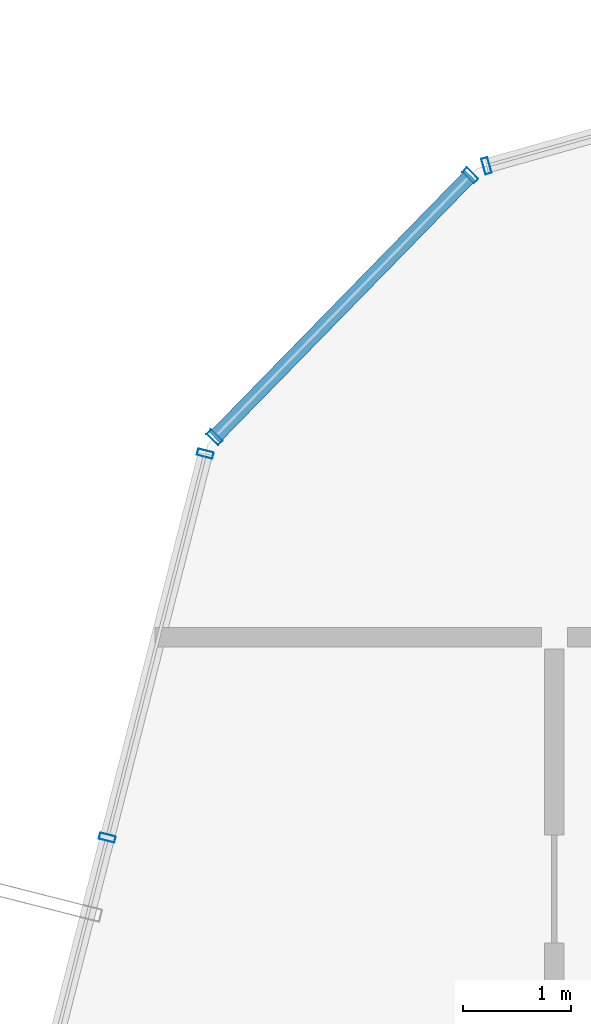
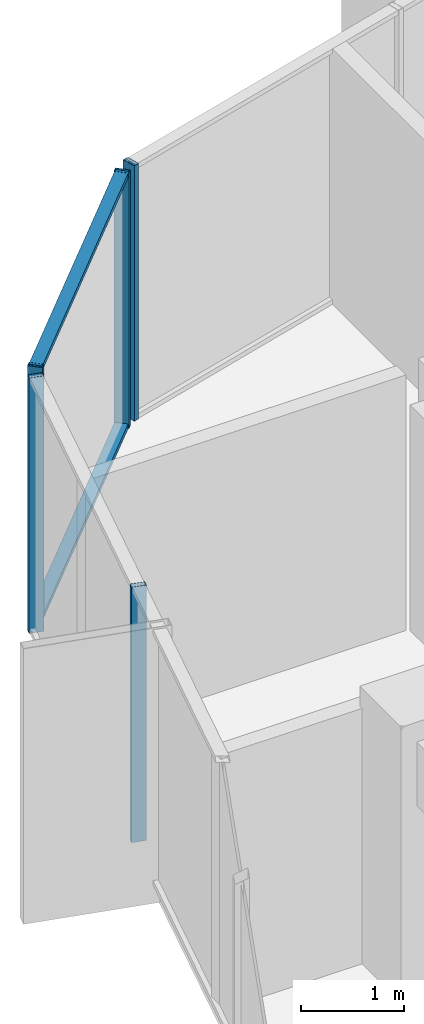
# One storey, part 14 of 29: 7 members, 3 elements without a shape of their own.
"""IFC4 building model written with IfcOpenShell, lengths in metres."""

from ifc_helpers import new_model, si_unit, direction, frame, origin, origin_2d, place, context, subcontext, project, spatial, hollow_rectangle, extrude, source, transform, mapped, material, layer, layer_set, material_profile, profile_set, type_object, element, aggregate, save


model = new_model("IFC4")

# Units and contexts
model_context = context("Model", 3, precision=1e-05, world=origin(), true_north=direction((0.0, 1.0)))
body_context = subcontext(model_context, "Body", "Model", "MODEL_VIEW")
ifc_project = project(units=[si_unit("LENGTHUNIT", "METRE"), si_unit("AREAUNIT", "SQUARE_METRE"), si_unit("VOLUMEUNIT", "CUBIC_METRE"), si_unit("PLANEANGLEUNIT", "RADIAN"), si_unit("MASSUNIT", "GRAM", prefix="KILO")], contexts=[model_context])

# Site, building, storey
site_placement = place(None, origin())
site = spatial("IfcSite", under=ifc_project, at=site_placement, CompositionType="ELEMENT")
building_placement = place(site_placement, origin())
building = spatial("IfcBuilding", under=site, at=building_placement, Name="Veraguas Prism Commons", CompositionType="ELEMENT")
storey_placement = place(building_placement, frame((0.0, 0.0, 257.75)))
storey = spatial("IfcBuildingStorey", under=building, at=storey_placement, Name="L73", CompositionType="ELEMENT", Elevation=257.75)

# Curtain wall, member
ifc_material = material(Name="Anodised aluminium EN AW-6063 T6", Category="aluminium")
ifc_layer = layer(ifc_material, 0.14990234375, Name="Unitised Flush Curtain Wall Zone 4", Category="aluminium")
ifc_layer_set = layer_set([ifc_layer], Name="Anodised aluminium EN AW-6063 T6")
curtain_wall_type = type_object("IfcCurtainWallType", Name="Unitised Flush Curtain Wall Zone 4", PredefinedType="NOTDEFINED", material=ifc_layer_set)
curtain_wall_1_placement = place(storey_placement, origin())
curtain_wall_1 = element("IfcCurtainWall", 1, at=curtain_wall_1_placement, inside=storey, type_object=curtain_wall_type, Name="Tower Facade Curtain Wall L73-F2", PredefinedType="NOTDEFINED")
ifc_material_profile_1 = material_profile(ifc_material, hollow_rectangle(XDim=0.06005859375, YDim=0.14990234375, WallThickness=0.0029296875, at=origin_2d()), Name="AL60X150X3")
ifc_profile_set_1 = profile_set([ifc_material_profile_1], Name="Anodised aluminium EN AW-6063 T6")
member_type_1 = type_object("IfcMemberType", Name="Curtain Wall Mullion Upper AL 60x150x3", PredefinedType="MULLION", material=ifc_profile_set_1)
shared_shape_1 = source(origin(), body_context, "Body", "SweptSolid", [
    extrude(hollow_rectangle(XDim=0.06005859375, YDim=0.14990234375, WallThickness=0.0029296875, at=origin_2d()), origin(), (0.0, 0.0, 1.0), 3.014892578125),
])
member_1_placement = place(storey_placement, frame((12.473388671875, 37.854736328125, 0.0), z_axis=(0.0, 0.0, 1.0), x_axis=(-0.962784730035, -0.270269427816, 0.0)))
member_1 = element("IfcMember", 2, at=member_1_placement, type_object=member_type_1, Name="CW-Z4 Mullion 5", PredefinedType="MULLION", context=body_context, shape_type="MappedRepresentation", body=[
    mapped(shared_shape_1, transform((0.0, 0.0, 0.0), scale=1.0)),
])
aggregate(curtain_wall_1, [member_1])

# Curtain wall, members
curtain_wall_2_placement = place(storey_placement, origin())
curtain_wall_2 = element("IfcCurtainWall", 3, at=curtain_wall_2_placement, inside=storey, type_object=curtain_wall_type, Name="Tower Facade Curtain Wall L73-F3", PredefinedType="NOTDEFINED")
member_2_placement = place(storey_placement, frame((9.87548828125, 35.194580078125, 0.0), z_axis=(0.0, 0.0, 1.0), x_axis=(-0.247338939069, -0.968929021766, 0.0)))
member_2 = element("IfcMember", 4, at=member_2_placement, type_object=member_type_1, Name="CW-Z4 Mullion 1", PredefinedType="MULLION", context=body_context, shape_type="MappedRepresentation", body=[
    mapped(shared_shape_1, transform((0.0, 0.0, 0.0), scale=1.0)),
])
member_3_placement = place(storey_placement, frame((8.9697265625, 31.646728515625, 0.0), z_axis=(0.0, 0.0, 1.0), x_axis=(-0.247338939069, -0.968929021766, 0.0)))
member_3 = element("IfcMember", 5, at=member_3_placement, type_object=member_type_1, Name="CW-Z4 Mullion 2", PredefinedType="MULLION", context=body_context, shape_type="MappedRepresentation", body=[
    mapped(shared_shape_1, transform((0.0, 0.0, 0.0), scale=1.0)),
])
aggregate(curtain_wall_2, [member_2, member_3])

curtain_wall_3_placement = place(storey_placement, origin())
curtain_wall_3 = element("IfcCurtainWall", 6, at=curtain_wall_3_placement, inside=storey, type_object=curtain_wall_type, Name="Chamfer Curtain Wall L73-C3", PredefinedType="NOTDEFINED")
member_4_placement = place(storey_placement, frame((12.32373046875, 37.76611328125, 0.0), z_axis=(0.0, 0.0, 1.0), x_axis=(-0.698662569377, -0.715451335977, 0.0)))
member_4 = element("IfcMember", 7, at=member_4_placement, type_object=member_type_1, Name="CW-Z4 Mullion 1", PredefinedType="MULLION", context=body_context, shape_type="MappedRepresentation", body=[
    mapped(shared_shape_1, transform((0.0, 0.0, 0.0), scale=1.0)),
])
member_5_placement = place(storey_placement, frame((9.96044921875, 35.345947265625, 0.0), z_axis=(0.0, 0.0, 1.0), x_axis=(-0.698662569377, -0.715451335977, 0.0)))
member_5 = element("IfcMember", 8, at=member_5_placement, type_object=member_type_1, Name="CW-Z4 Mullion 2", PredefinedType="MULLION", context=body_context, shape_type="MappedRepresentation", body=[
    mapped(shared_shape_1, transform((0.0, 0.0, 0.0), scale=1.0)),
])
ifc_material_profile_2 = material_profile(ifc_material, hollow_rectangle(XDim=0.054931640625, YDim=0.135009765625, WallThickness=0.0029296875, at=origin_2d()), Name="AL55X135X3")
ifc_profile_set_2 = profile_set([ifc_material_profile_2], Name="Anodised aluminium EN AW-6063 T6")
member_type_2 = type_object("IfcMemberType", Name="Curtain Wall Transom Standard AL 55x135x3", PredefinedType="USERDEFINED", material=ifc_profile_set_2)
shared_shape_2 = source(origin(), body_context, "Body", "SweptSolid", [
    extrude(hollow_rectangle(XDim=0.054931640625, YDim=0.135009765625, WallThickness=0.0029296875, at=origin_2d()), origin(), (0.0, 0.0, 1.0), 3.382568359375),
])
member_6_placement = place(storey_placement, frame((12.32373046875, 37.76611328125, 0.027587890625), z_axis=(-0.698648466169, -0.715465107968, 0.0), x_axis=(0.0, 0.0, 1.0)))
member_6 = element("IfcMember", 9, at=member_6_placement, type_object=member_type_2, Name="CW-Z4 Transom 1", ObjectType="TRANSOM", PredefinedType="USERDEFINED", context=body_context, shape_type="MappedRepresentation", body=[
    mapped(shared_shape_2, transform((0.0, 0.0, 0.0), scale=1.0)),
])
member_7_placement = place(storey_placement, frame((12.32373046875, 37.76611328125, 2.987548828125), z_axis=(-0.698648466169, -0.715465107968, 0.0), x_axis=(0.0, 0.0, 1.0)))
member_7 = element("IfcMember", 10, at=member_7_placement, type_object=member_type_2, Name="CW-Z4 Transom 2", ObjectType="TRANSOM", PredefinedType="USERDEFINED", context=body_context, shape_type="MappedRepresentation", body=[
    mapped(shared_shape_2, transform((0.0, 0.0, 0.0), scale=1.0)),
])
aggregate(curtain_wall_3, [member_4, member_5, member_6, member_7])

save(model, "model.ifc")
